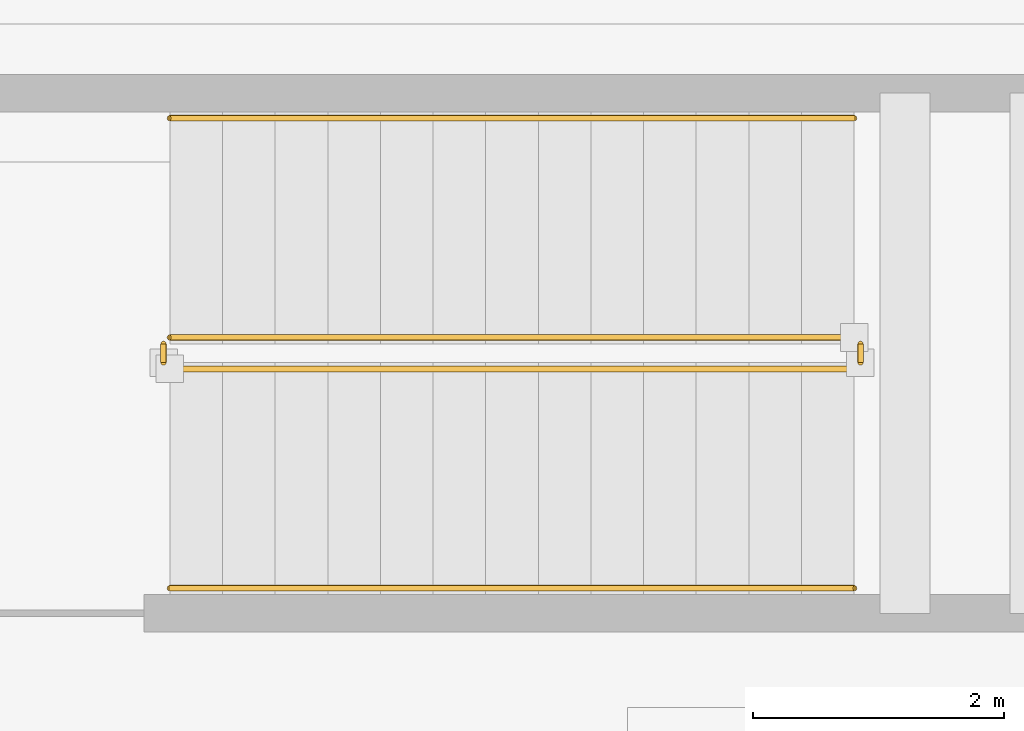
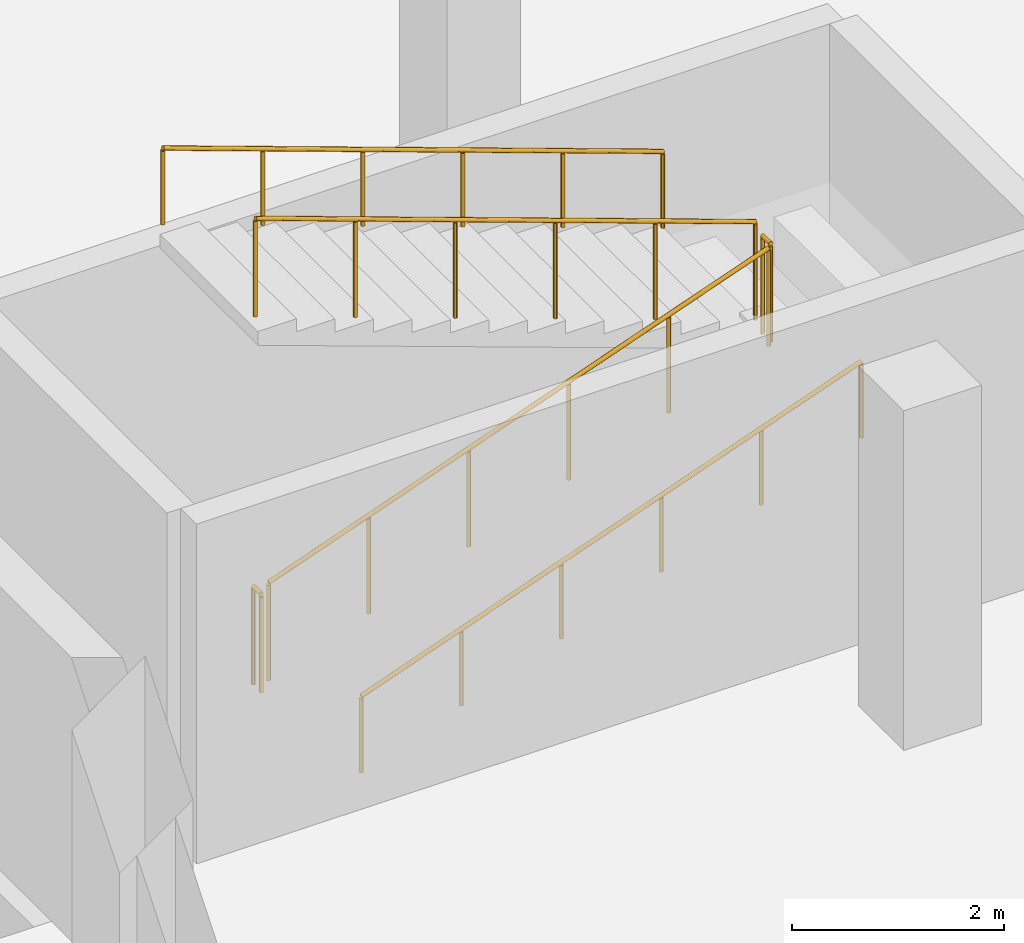
# One storey, part 26 of 28: 6 railings.
"""IFC4 building model written with IfcOpenShell, lengths in metres."""

from ifc_helpers import new_model, si_unit, direction, frame, origin, origin_2d, place, context, subcontext, project, spatial, circle, extrude, material, layer, layer_set, type_object, element, save


model = new_model("IFC4")

# Units and contexts
model_context = context("Model", 3, precision=1e-05, world=origin(), true_north=direction((0.0, 1.0)))
body_context = subcontext(model_context, "Body", "Model", "MODEL_VIEW")
ifc_project = project(units=[si_unit("LENGTHUNIT", "METRE"), si_unit("AREAUNIT", "SQUARE_METRE"), si_unit("VOLUMEUNIT", "CUBIC_METRE"), si_unit("PLANEANGLEUNIT", "RADIAN"), si_unit("MASSUNIT", "GRAM", prefix="KILO")], contexts=[model_context])

# Site, building, storey
site_placement = place(None, origin())
site = spatial("IfcSite", under=ifc_project, at=site_placement, CompositionType="ELEMENT")
building_placement = place(site_placement, origin())
building = spatial("IfcBuilding", under=site, at=building_placement, Name="Varnakota Cinema and Media Centre", CompositionType="ELEMENT")
storey_placement = place(building_placement, frame((0.0, 0.0, -4.199951171875)))
storey = spatial("IfcBuildingStorey", under=building, at=storey_placement, Name="B1", CompositionType="ELEMENT", Elevation=-4.199951171875)

# Railings
ifc_material_1 = material(Name="Structural steel Grade 350 (E350)", Category="steel")
ifc_layer_1 = layer(ifc_material_1, 0.050048828125)
ifc_layer_set_1 = layer_set([ifc_layer_1], Name="Structural steel Grade 350 (E350)")
railing_type_1 = type_object("IfcRailingType", Name="RAIL-STAIR-GUARD-1150", PredefinedType="GUARDRAIL", material=ifc_layer_set_1)
railing_1_placement = place(storey_placement, frame((3.449951171875, 99.0, 0.14990234375)))
element("IfcRailing", 1, at=railing_1_placement, inside=storey, type_object=railing_type_1, Name="B1 ST-B4 stair guard 1", PredefinedType="GUARDRAIL", context=body_context, shape_type="SweptSolid", body=[
    extrude(circle(Radius=0.02392578125, at=origin_2d()), frame((0.0, 0.0, 1.1259765625), z_axis=(0.941743817001, 0.0, 0.336331061813), x_axis=(0.0, 1.0, 0.0)), (0.0, 0.0, 1.0), 5.797607421875),
    extrude(circle(Radius=0.02099609375, at=origin_2d()), origin(), (0.0, 0.0, 1.0), 1.101806640625),
    extrude(circle(Radius=0.02099609375, at=origin_2d()), frame((1.092041015625, 0.0, 0.389892578125)), (0.0, 0.0, 1.0), 1.101806640625),
    extrude(circle(Radius=0.02099609375, at=origin_2d()), frame((2.18408203125, 0.0, 0.780029296875)), (0.0, 0.0, 1.0), 1.101806640625),
    extrude(circle(Radius=0.02099609375, at=origin_2d()), frame((3.27587890625, 0.0, 1.169921875)), (0.0, 0.0, 1.0), 1.101806640625),
    extrude(circle(Radius=0.02099609375, at=origin_2d()), frame((4.367919921875, 0.0, 1.56005859375)), (0.0, 0.0, 1.0), 1.101806640625),
    extrude(circle(Radius=0.02099609375, at=origin_2d()), frame((5.4599609375, 0.0, 1.949951171875)), (0.0, 0.0, 1.0), 1.101806640625),
])
railing_2_placement = place(storey_placement, frame((8.9599609375, 99.050048828125, 2.099853515625)))
element("IfcRailing", 2, at=railing_2_placement, inside=storey, type_object=railing_type_1, Name="B1 ST-B4 stair guard 2", PredefinedType="GUARDRAIL", context=body_context, shape_type="SweptSolid", body=[
    extrude(circle(Radius=0.02392578125, at=origin_2d()), frame((0.0, 0.0, 1.1259765625), z_axis=(0.0, 1.0, 0.0), x_axis=(-1.0, 0.0, 0.0)), (0.0, 0.0, 1.0), 0.14990234375),
    extrude(circle(Radius=0.02099609375, at=origin_2d()), origin(), (0.0, 0.0, 1.0), 1.101806640625),
    extrude(circle(Radius=0.02099609375, at=origin_2d()), frame((0.0, 0.14990234375, 0.0)), (0.0, 0.0, 1.0), 1.101806640625),
])
railing_3_placement = place(storey_placement, frame((8.909912109375, 99.25, 2.25)))
element("IfcRailing", 3, at=railing_3_placement, inside=storey, type_object=railing_type_1, Name="B1 ST-B4 stair guard 3", PredefinedType="GUARDRAIL", context=body_context, shape_type="SweptSolid", body=[
    extrude(circle(Radius=0.02392578125, at=origin_2d()), frame((0.0, 0.0, 1.1259765625), z_axis=(-0.941743817001, 0.0, 0.336331061813), x_axis=(0.0, -1.0, 0.0)), (0.0, 0.0, 1.0), 5.797607421875),
    extrude(circle(Radius=0.02099609375, at=origin_2d()), origin(), (0.0, 0.0, 1.0), 1.101806640625),
    extrude(circle(Radius=0.02099609375, at=origin_2d()), frame((-1.092041015625, 0.0, 0.389892578125)), (0.0, 0.0, 1.0), 1.101806640625),
    extrude(circle(Radius=0.02099609375, at=origin_2d()), frame((-2.18408203125, 0.0, 0.780029296875)), (0.0, 0.0, 1.0), 1.101806640625),
    extrude(circle(Radius=0.02099609375, at=origin_2d()), frame((-3.27587890625, 0.0, 1.169921875)), (0.0, 0.0, 1.0), 1.101806640625),
    extrude(circle(Radius=0.02099609375, at=origin_2d()), frame((-4.367919921875, 0.0, 1.56005859375)), (0.0, 0.0, 1.0), 1.101806640625),
    extrude(circle(Radius=0.02099609375, at=origin_2d()), frame((-5.4599609375, 0.0, 1.949951171875)), (0.0, 0.0, 1.0), 1.101806640625),
])
railing_4_placement = place(storey_placement, frame((3.39990234375, 99.050048828125, 0.0)))
element("IfcRailing", 4, at=railing_4_placement, inside=storey, type_object=railing_type_1, Name="B1 ST-B4 stair guard 4", PredefinedType="GUARDRAIL", context=body_context, shape_type="SweptSolid", body=[
    extrude(circle(Radius=0.02392578125, at=origin_2d()), frame((0.0, 0.0, 1.1259765625), z_axis=(0.0, 1.0, 0.0), x_axis=(-1.0, 0.0, 0.0)), (0.0, 0.0, 1.0), 0.14990234375),
    extrude(circle(Radius=0.02099609375, at=origin_2d()), origin(), (0.0, 0.0, 1.0), 1.101806640625),
    extrude(circle(Radius=0.02099609375, at=origin_2d()), frame((0.0, 0.14990234375, 0.0)), (0.0, 0.0, 1.0), 1.101806640625),
])
ifc_material_2 = material(Name="Structural steel Grade 350 (E350)", Category="steel")
ifc_layer_2 = layer(ifc_material_2, 0.048095703125)
ifc_layer_set_2 = layer_set([ifc_layer_2], Name="Structural steel Grade 350 (E350)")
railing_type_2 = type_object("IfcRailingType", Name="RAIL-STAIR-HAND-900", PredefinedType="HANDRAIL", material=ifc_layer_set_2)
railing_5_placement = place(storey_placement, frame((3.449951171875, 97.25, 0.14990234375)))
element("IfcRailing", 5, at=railing_5_placement, inside=storey, type_object=railing_type_2, Name="B1 ST-B4 stair handrail 1", PredefinedType="HANDRAIL", context=body_context, shape_type="SweptSolid", body=[
    extrude(circle(Radius=0.02392578125, at=origin_2d()), frame((0.0, 0.0, 0.8759765625), z_axis=(0.941743817001, 0.0, 0.336331061813), x_axis=(0.0, 1.0, 0.0)), (0.0, 0.0, 1.0), 5.797607421875),
    extrude(circle(Radius=0.02099609375, at=origin_2d()), origin(), (0.0, 0.0, 1.0), 0.851806640625),
    extrude(circle(Radius=0.02099609375, at=origin_2d()), frame((1.092041015625, 0.0, 0.389892578125)), (0.0, 0.0, 1.0), 0.851806640625),
    extrude(circle(Radius=0.02099609375, at=origin_2d()), frame((2.18408203125, 0.0, 0.780029296875)), (0.0, 0.0, 1.0), 0.851806640625),
    extrude(circle(Radius=0.02099609375, at=origin_2d()), frame((3.27587890625, 0.0, 1.169921875)), (0.0, 0.0, 1.0), 0.851806640625),
    extrude(circle(Radius=0.02099609375, at=origin_2d()), frame((4.367919921875, 0.0, 1.56005859375)), (0.0, 0.0, 1.0), 0.851806640625),
    extrude(circle(Radius=0.02099609375, at=origin_2d()), frame((5.4599609375, 0.0, 1.949951171875)), (0.0, 0.0, 1.0), 0.851806640625),
])
railing_6_placement = place(storey_placement, frame((8.909912109375, 101.0, 2.25)))
element("IfcRailing", 6, at=railing_6_placement, inside=storey, type_object=railing_type_2, Name="B1 ST-B4 stair handrail 2", PredefinedType="HANDRAIL", context=body_context, shape_type="SweptSolid", body=[
    extrude(circle(Radius=0.02392578125, at=origin_2d()), frame((0.0, 0.0, 0.8759765625), z_axis=(-0.941743817001, 0.0, 0.336331061813), x_axis=(0.0, -1.0, 0.0)), (0.0, 0.0, 1.0), 5.797607421875),
    extrude(circle(Radius=0.02099609375, at=origin_2d()), origin(), (0.0, 0.0, 1.0), 0.851806640625),
    extrude(circle(Radius=0.02099609375, at=origin_2d()), frame((-1.092041015625, 0.0, 0.389892578125)), (0.0, 0.0, 1.0), 0.851806640625),
    extrude(circle(Radius=0.02099609375, at=origin_2d()), frame((-2.18408203125, 0.0, 0.780029296875)), (0.0, 0.0, 1.0), 0.851806640625),
    extrude(circle(Radius=0.02099609375, at=origin_2d()), frame((-3.27587890625, 0.0, 1.169921875)), (0.0, 0.0, 1.0), 0.851806640625),
    extrude(circle(Radius=0.02099609375, at=origin_2d()), frame((-4.367919921875, 0.0, 1.56005859375)), (0.0, 0.0, 1.0), 0.851806640625),
    extrude(circle(Radius=0.02099609375, at=origin_2d()), frame((-5.4599609375, 0.0, 1.949951171875)), (0.0, 0.0, 1.0), 0.851806640625),
])

save(model, "model.ifc")
